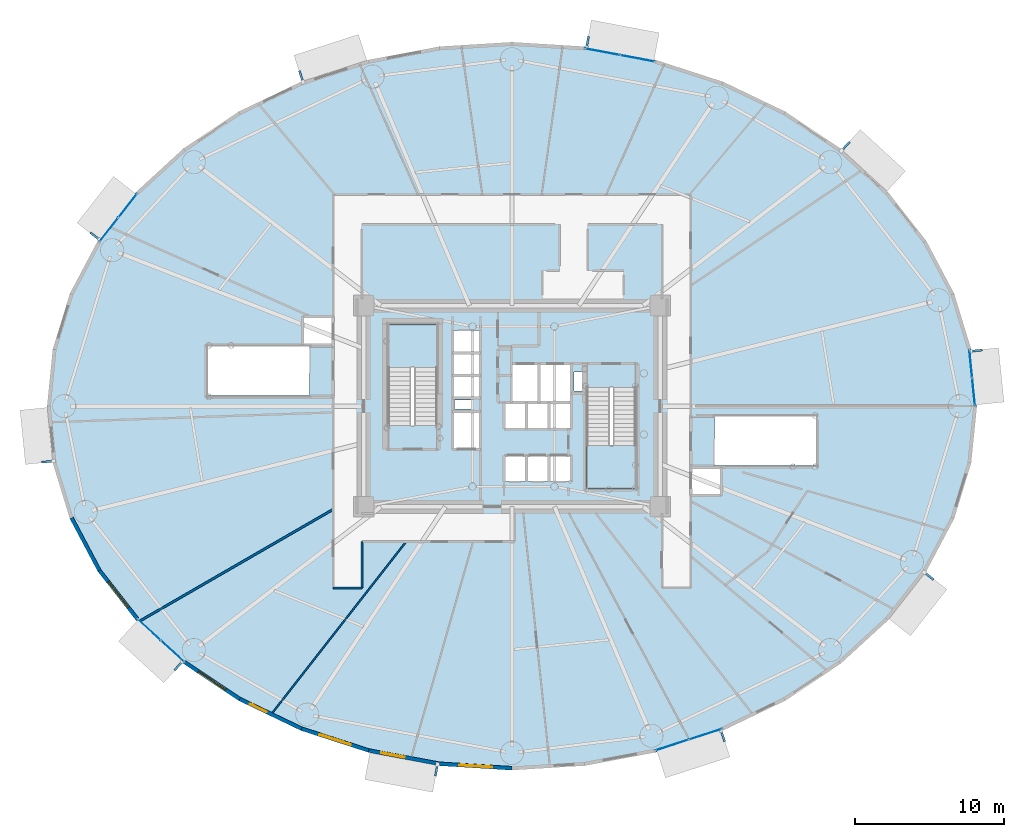
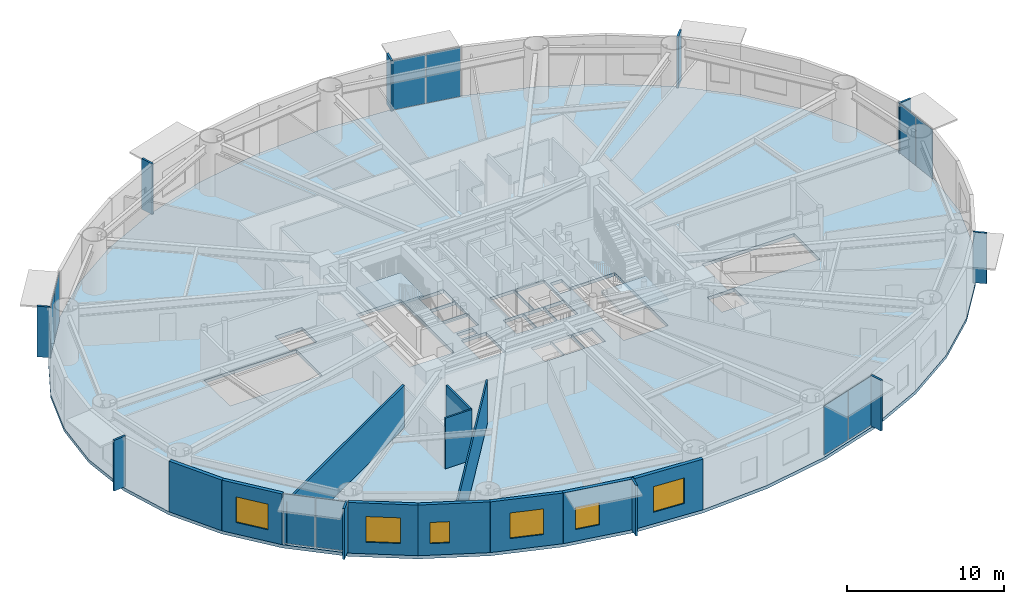
# One storey, part 15 of 28: 20 plates, 11 walls, 6 windows, 3 slabs, 6 openings, 7 elements without a shape of their own.
"""IFC4 building model written with IfcOpenShell, lengths in metres."""

from ifc_helpers import new_model, si_unit, direction, frame, frame_2d, origin, origin_2d, place, context, subcontext, project, spatial, polyline, rectangle, outline, extrude, source, transform, mapped, material, layer, layer_set, type_object, element, fill, aggregate, save


model = new_model("IFC4")

# Units and contexts
model_context = context("Model", 3, precision=1e-05, world=origin(), true_north=direction((0.0, 1.0)))
body_context = subcontext(model_context, "Body", "Model", "MODEL_VIEW")
ifc_project = project(units=[si_unit("LENGTHUNIT", "METRE"), si_unit("AREAUNIT", "SQUARE_METRE"), si_unit("VOLUMEUNIT", "CUBIC_METRE"), si_unit("PLANEANGLEUNIT", "RADIAN"), si_unit("MASSUNIT", "GRAM", prefix="KILO")], contexts=[model_context])

# Site, building, storey
site_placement = place(None, origin())
site = spatial("IfcSite", under=ifc_project, at=site_placement, CompositionType="ELEMENT")
building_placement = place(site_placement, origin())
building = spatial("IfcBuilding", under=site, at=building_placement, Name="Linh Dai School and Residence Tower", CompositionType="ELEMENT")
storey_placement = place(building_placement, frame((0.0, 0.0, 57.60009765625)))
storey = spatial("IfcBuildingStorey", under=building, at=storey_placement, Name="L13", CompositionType="ELEMENT", Elevation=57.60009765625)

# Slab
ifc_material_1 = material(Name="Concrete B45 (C35/45)", Category="concrete")
ifc_layer_1 = layer(ifc_material_1, 0.25)
ifc_layer_set_1 = layer_set([ifc_layer_1], Name="Concrete B45 (C35/45)")
slab_type_1 = type_object("IfcSlabType", Name="SLB-FLR250", PredefinedType="FLOOR", material=ifc_layer_set_1)
slab_1_placement = place(storey_placement, frame((0.0, 0.0, -0.25)))
element("IfcSlab", 1, at=slab_1_placement, inside=storey, type_object=slab_type_1, Name="L13 Composite Structural Floor Slab", PredefinedType="FLOOR", context=body_context, shape_type="SweptSolid", body=[
    extrude(outline(polyline([(67.199951171875, 27.0), (66.81591796875, 30.82177734375), (65.6728515625, 34.54931640625), (63.79931640625, 38.091064453125), (61.2412109375, 41.359619140625), (58.061767578125, 44.274658203125), (54.3388671875, 46.764404296875), (50.16455078125, 48.767333984375), (45.641357421875, 50.234375), (40.880859375, 51.129150390625), (36.0, 51.429931640625), (31.119140625, 51.129150390625), (26.358642578125, 50.234375), (21.83544921875, 48.767333984375), (17.6611328125, 46.764404296875), (13.938232421875, 44.274658203125), (10.7587890625, 41.359619140625), (8.20068359375, 38.091064453125), (6.3271484375, 34.54931640625), (5.18408203125, 30.82177734375), (4.800048828125, 27.0), (5.18408203125, 23.17822265625), (6.3271484375, 19.45068359375), (8.20068359375, 15.908935546875), (10.7587890625, 12.640380859375), (13.938232421875, 9.725341796875), (17.6611328125, 7.235595703125), (21.83544921875, 5.232666015625), (26.358642578125, 3.765625), (31.119140625, 2.870849609375), (36.0, 2.570068359375), (40.880859375, 2.870849609375), (45.641357421875, 3.765625), (50.16455078125, 5.232666015625), (54.3388671875, 7.235595703125), (58.061767578125, 9.725341796875), (61.2412109375, 12.640380859375), (63.79931640625, 15.908935546875), (65.6728515625, 19.45068359375), (66.81591796875, 23.17822265625), (67.199951171875, 27.0)]), holes=[polyline([(30.97998046875, 25.699951171875), (30.97998046875, 32.5), (27.679931640625, 32.5), (27.679931640625, 25.699951171875), (30.97998046875, 25.699951171875)]), polyline([(41.02001953125, 28.25), (41.02001953125, 21.449951171875), (44.320068359375, 21.449951171875), (44.320068359375, 28.25), (41.02001953125, 28.25)]), polyline([(22.39990234375, 31.0), (15.60009765625, 31.0), (15.60009765625, 27.699951171875), (22.39990234375, 27.699951171875), (22.39990234375, 31.0)]), polyline([(49.60009765625, 23.0), (56.39990234375, 23.0), (56.39990234375, 26.300048828125), (49.60009765625, 26.300048828125), (49.60009765625, 23.0)]), polyline([(35.97998046875, 27.280029296875), (37.77001953125, 27.280029296875), (37.77001953125, 29.820068359375), (35.97998046875, 29.820068359375), (35.97998046875, 27.280029296875)]), polyline([(32.030029296875, 24.1298828125), (33.8701171875, 24.1298828125), (33.8701171875, 26.6201171875), (32.030029296875, 26.6201171875), (32.030029296875, 24.1298828125)]), polyline([(37.830078125, 27.280029296875), (39.969970703125, 27.280029296875), (39.969970703125, 29.820068359375), (37.830078125, 29.820068359375), (37.830078125, 27.280029296875)]), polyline([(35.47998046875, 21.929931640625), (36.929931640625, 21.929931640625), (36.929931640625, 23.669921875), (35.47998046875, 23.669921875), (35.47998046875, 21.929931640625)]), polyline([(36.989990234375, 21.929931640625), (38.449951171875, 21.929931640625), (38.449951171875, 23.669921875), (36.989990234375, 23.669921875), (36.989990234375, 21.929931640625)]), polyline([(38.510009765625, 21.929931640625), (39.969970703125, 21.929931640625), (39.969970703125, 23.669921875), (38.510009765625, 23.669921875), (38.510009765625, 21.929931640625)]), polyline([(32.030029296875, 27.580078125), (33.8701171875, 27.580078125), (33.8701171875, 29.030029296875), (32.030029296875, 29.030029296875), (32.030029296875, 27.580078125)]), polyline([(32.030029296875, 29.090087890625), (33.8701171875, 29.090087890625), (33.8701171875, 30.550048828125), (32.030029296875, 30.550048828125), (32.030029296875, 29.090087890625)]), polyline([(32.030029296875, 30.610107421875), (33.8701171875, 30.610107421875), (33.8701171875, 32.070068359375), (32.030029296875, 32.070068359375), (32.030029296875, 30.610107421875)]), polyline([(35.47998046875, 25.47998046875), (36.929931640625, 25.47998046875), (36.929931640625, 27.219970703125), (35.47998046875, 27.219970703125), (35.47998046875, 25.47998046875)]), polyline([(36.989990234375, 25.47998046875), (38.449951171875, 25.47998046875), (38.449951171875, 27.219970703125), (36.989990234375, 27.219970703125), (36.989990234375, 25.47998046875)]), polyline([(38.510009765625, 25.47998046875), (39.969970703125, 25.47998046875), (39.969970703125, 27.219970703125), (38.510009765625, 27.219970703125), (38.510009765625, 25.47998046875)]), polyline([(21.97998046875, 31.080078125), (23.969970703125, 31.080078125), (23.969970703125, 32.969970703125), (21.97998046875, 32.969970703125), (21.97998046875, 31.080078125)]), polyline([(48.030029296875, 21.030029296875), (50.02001953125, 21.030029296875), (50.02001953125, 22.919921875), (48.030029296875, 22.919921875), (48.030029296875, 21.030029296875)]), polyline([(40.14990234375, 28.0), (40.14990234375, 29.300048828125), (41.0, 29.300048828125), (41.0, 28.280029296875), (40.989990234375, 28.280029296875), (40.989990234375, 28.0), (40.14990234375, 28.0)]), polyline([(32.14990234375, 26.800048828125), (33.35009765625, 26.800048828125), (33.35009765625, 27.39990234375), (32.14990234375, 27.39990234375), (32.14990234375, 26.800048828125)])]), origin(), (0.0, 0.0, 1.0), 0.25),
])

# Stair, slab
stair_type = type_object("IfcStairType", Name="ST-DOG-1550-R1500", PredefinedType="HALF_TURN_STAIR", material=ifc_material_1)
stair_1_placement = place(storey_placement, origin())
stair_1 = element("IfcStair", 2, at=stair_1_placement, inside=storey, type_object=stair_type, Name="L13 Core Smokeproof Exit Stair ST1", PredefinedType="HALF_TURN_STAIR")
ifc_layer_2 = layer(ifc_material_1, 0.199951171875)
ifc_layer_set_2 = layer_set([ifc_layer_2], Name="Concrete B45 (C35/45)")
slab_type_2 = type_object("IfcSlabType", Name="SLB-ST-LANDING-200", PredefinedType="LANDING", material=ifc_layer_set_2)
slab_2_placement = place(storey_placement, frame((0.0, 0.0, 1.89990234375)))
slab_2 = element("IfcSlab", 3, at=slab_2_placement, type_object=slab_type_2, Name="ST1 landing 1", PredefinedType="LANDING", context=body_context, shape_type="SweptSolid", body=[
    extrude(outline(polyline([(30.97998046875, 29.60009765625), (30.97998046875, 32.5), (27.679931640625, 32.5), (27.679931640625, 29.60009765625), (30.97998046875, 29.60009765625)])), origin(), (0.0, 0.0, 1.0), 0.199951171875),
])
aggregate(stair_1, [slab_2])

stair_2_placement = place(storey_placement, origin())
stair_2 = element("IfcStair", 4, at=stair_2_placement, inside=storey, type_object=stair_type, Name="L13 Core Smokeproof Exit Stair ST2", PredefinedType="HALF_TURN_STAIR")
slab_3_placement = place(storey_placement, frame((0.0, 0.0, 1.89990234375)))
slab_3 = element("IfcSlab", 5, at=slab_3_placement, type_object=slab_type_2, Name="ST2 landing 1", PredefinedType="LANDING", context=body_context, shape_type="SweptSolid", body=[
    extrude(outline(polyline([(41.02001953125, 24.35009765625), (41.02001953125, 21.449951171875), (44.320068359375, 21.449951171875), (44.320068359375, 24.35009765625), (41.02001953125, 24.35009765625)])), origin(), (0.0, 0.0, 1.0), 0.199951171875),
])
aggregate(stair_2, [slab_3])

# Curtain wall, plates
ifc_material_2 = material(Name="Aluminium Anodised Curtain Wall", Category="aluminium")
ifc_layer_3 = layer(ifc_material_2, 0.159912109375)
ifc_layer_set_3 = layer_set([ifc_layer_3], Name="Aluminium Anodised Curtain Wall")
curtain_wall_type = type_object("IfcCurtainWallType", Name="CW-SYS-3", PredefinedType="USERDEFINED", material=ifc_layer_set_3)
curtain_wall_1_placement = place(storey_placement, origin())
curtain_wall_1 = element("IfcCurtainWall", 6, at=curtain_wall_1_placement, inside=storey, type_object=curtain_wall_type, Name="L13 CW3 Curtain Wall 01", ObjectType="RIBBON CURTAIN WALL", PredefinedType="USERDEFINED")
ifc_material_3 = material(Name="Double Low-E Insulated Glazing", Category="glass")
ifc_layer_4 = layer(ifc_material_3, 0.028076171875)
ifc_layer_set_4 = layer_set([ifc_layer_4], Name="Double Low-E Insulated Glazing")
plate_type_1 = type_object("IfcPlateType", Name="CW-SYS-3-PAN", PredefinedType="CURTAIN_PANEL", material=ifc_layer_set_4)
shared_shape_1 = source(origin(), body_context, "Body", "SweptSolid", [
    extrude(rectangle(XDim=1.825439453125, YDim=0.028076171875, at=origin_2d()), origin(), (0.0, 0.0, 1.0), 3.840087890625),
])
plate_1_placement = place(storey_placement, frame((66.7900390625, 29.833984375, 0.0546875), z_axis=(0.0, 0.0, 1.0), x_axis=(0.100009387998, -0.994986493533, 0.0)))
plate_1 = element("IfcPlate", 7, at=plate_1_placement, type_object=plate_type_1, Name="CW3 panel 1.1", PredefinedType="CURTAIN_PANEL", context=body_context, shape_type="MappedRepresentation", body=[
    mapped(shared_shape_1, transform((0.0, 0.0, 0.0), x_axis=(1.0, 0.0, 0.0), y_axis=(0.0, 1.0, 0.0), z_axis=(0.0, 0.0, 1.0), scale=1.0)),
])
plate_2_placement = place(storey_placement, frame((66.978271484375, 27.962890625, 0.0546875), z_axis=(0.0, 0.0, 1.0), x_axis=(0.100009387998, -0.994986493533, 0.0)))
plate_2 = element("IfcPlate", 8, at=plate_2_placement, type_object=plate_type_1, Name="CW3 panel 2.1", PredefinedType="CURTAIN_PANEL", context=body_context, shape_type="MappedRepresentation", body=[
    mapped(shared_shape_1, transform((0.0, 0.0, 0.0), x_axis=(1.0, 0.0, 0.0), y_axis=(0.0, 1.0, 0.0), z_axis=(0.0, 0.0, 1.0), scale=1.0)),
])
aggregate(curtain_wall_1, [plate_1, plate_2])

# Plates
ifc_material_4 = material(Name="Precast Concrete B45 (C35/45)", Category="concrete")
ifc_layer_5 = layer(ifc_material_4, 0.139892578125)
ifc_layer_set_5 = layer_set([ifc_layer_5], Name="Precast Concrete B45 (C35/45)")
plate_type_2 = type_object("IfcPlateType", Name="FIN-TC-900x140", PredefinedType="USERDEFINED", material=ifc_layer_set_5)
shared_shape_2 = source(origin(), body_context, "Body", "SweptSolid", [
    extrude(rectangle(XDim=0.89990234375, YDim=0.139892578125, at=origin_2d()), origin(), (0.0, 0.0, 1.0), 3.949951171875),
])
for number, where, z_axis, x_axis, name in (
    (9, (67.11328125, 30.718505859375, 0.0), (0.0, 0.0, 1.0), (0.994986493533, 0.100009387998, 0.0), "L13 Precast Terracotta Radial Fin 01"),
    (10, (58.35009765625, 44.397216796875, 0.0), (0.0, 0.0, 1.0), (0.675769237268, 0.737113246362, 0.0), "L13 Precast Terracotta Radial Fin 05"),
    (11, (41.05908203125, 51.385986328125, 0.0), (0.0, 0.0, 1.0), (0.184747948944, 0.982785935675, 0.0), "L13 Precast Terracotta Radial Fin 09"),
    (12, (21.869384765625, 49.078125, 0.0), (0.0, 0.0, 1.0), (-0.308510993844, 0.951220777043, 0.0), "L13 Precast Terracotta Radial Fin 13"),
    (13, (8.056396484375, 38.3701171875, 0.0), (0.0, 0.0, 1.0), (-0.787496262172, 0.616319427785, 0.0), "L13 Precast Terracotta Radial Fin 17"),
    (14, (4.88671875, 23.281494140625, 0.0), (0.0, 0.0, 1.0), (-0.994986493533, -0.100009387998, 0.0), "L13 Precast Terracotta Radial Fin 21"),
    (15, (13.64990234375, 9.602783203125, 0.0), (0.0, 0.0, 1.0), (-0.675769237268, -0.737113246362, 0.0), "L13 Precast Terracotta Radial Fin 25"),
    (16, (30.94091796875, 2.614013671875, 0.0), (0.0, 0.0, 1.0), (-0.184747948944, -0.982785935675, 0.0), "L13 Precast Terracotta Radial Fin 29"),
    (17, (50.130615234375, 4.921875, 0.0), (0.0, 0.0, 1.0), (0.308510993844, -0.951220777043, 0.0), "L13 Precast Terracotta Radial Fin 33"),
    (18, (63.943603515625, 15.6298828125, 0.0), (0.0, 0.0, 1.0), (0.787496262172, -0.616319427785, 0.0), "L13 Precast Terracotta Radial Fin 37"),
):
    element("IfcPlate", number, at=place(storey_placement, frame(where, z_axis=z_axis, x_axis=x_axis)), inside=storey, type_object=plate_type_2, Name=name, ObjectType="RADIAL FIN", PredefinedType="USERDEFINED", context=body_context, shape_type="MappedRepresentation", body=[
        mapped(shared_shape_2, transform((0.0, 0.0, 0.0), x_axis=(1.0, 0.0, 0.0), y_axis=(0.0, 1.0, 0.0), z_axis=(0.0, 0.0, 1.0), scale=1.0)),
    ])

# Curtain wall, plates
curtain_wall_2_placement = place(storey_placement, origin())
curtain_wall_2 = element("IfcCurtainWall", 19, at=curtain_wall_2_placement, inside=storey, type_object=curtain_wall_type, Name="L13 CW3 Curtain Wall 09", ObjectType="RIBBON CURTAIN WALL", PredefinedType="USERDEFINED")
shared_shape_3 = source(origin(), body_context, "Body", "SweptSolid", [
    extrude(rectangle(XDim=2.33154296875, YDim=0.028076171875, at=origin_2d()), origin(), (0.0, 0.0, 1.0), 3.840087890625),
])
plate_3_placement = place(storey_placement, frame((42.065185546875, 50.779541015625, 0.0546875), z_axis=(0.0, 0.0, 1.0), x_axis=(0.982785935675, -0.184747948944, 0.0)))
plate_3 = element("IfcPlate", 20, at=plate_3_placement, type_object=plate_type_1, Name="CW3 panel 1.1", PredefinedType="CURTAIN_PANEL", context=body_context, shape_type="MappedRepresentation", body=[
    mapped(shared_shape_3, transform((0.0, 0.0, 0.0), x_axis=(1.0, 0.0, 0.0), y_axis=(0.0, 1.0, 0.0), z_axis=(0.0, 0.0, 1.0), scale=1.0)),
])
plate_4_placement = place(storey_placement, frame((44.41064453125, 50.338623046875, 0.0546875), z_axis=(0.0, 0.0, 1.0), x_axis=(0.982785935675, -0.184747948944, 0.0)))
plate_4 = element("IfcPlate", 21, at=plate_4_placement, type_object=plate_type_1, Name="CW3 panel 2.1", PredefinedType="CURTAIN_PANEL", context=body_context, shape_type="MappedRepresentation", body=[
    mapped(shared_shape_3, transform((0.0, 0.0, 0.0), x_axis=(1.0, 0.0, 0.0), y_axis=(0.0, 1.0, 0.0), z_axis=(0.0, 0.0, 1.0), scale=1.0)),
])
aggregate(curtain_wall_2, [plate_3, plate_4])

curtain_wall_3_placement = place(storey_placement, origin())
curtain_wall_3 = element("IfcCurtainWall", 22, at=curtain_wall_3_placement, inside=storey, type_object=curtain_wall_type, Name="L13 CW3 Curtain Wall 17", ObjectType="RIBBON CURTAIN WALL", PredefinedType="USERDEFINED")
shared_shape_4 = source(origin(), body_context, "Body", "SweptSolid", [
    extrude(rectangle(XDim=1.982177734375, YDim=0.028076171875, at=origin_2d()), origin(), (0.0, 0.0, 1.0), 3.840087890625),
])
plate_5_placement = place(storey_placement, frame((8.9501953125, 38.8466796875, 0.0546875), z_axis=(0.0, 0.0, 1.0), x_axis=(0.616319427785, 0.787496262172, 0.0)))
plate_5 = element("IfcPlate", 23, at=plate_5_placement, type_object=plate_type_1, Name="CW3 panel 1.1", PredefinedType="CURTAIN_PANEL", context=body_context, shape_type="MappedRepresentation", body=[
    mapped(shared_shape_4, transform((0.0, 0.0, 0.0), x_axis=(1.0, 0.0, 0.0), y_axis=(0.0, 1.0, 0.0), z_axis=(0.0, 0.0, 1.0), scale=1.0)),
])
plate_6_placement = place(storey_placement, frame((10.20556640625, 40.45068359375, 0.0546875), z_axis=(0.0, 0.0, 1.0), x_axis=(0.616319427785, 0.787496262172, 0.0)))
plate_6 = element("IfcPlate", 24, at=plate_6_placement, type_object=plate_type_1, Name="CW3 panel 2.1", PredefinedType="CURTAIN_PANEL", context=body_context, shape_type="MappedRepresentation", body=[
    mapped(shared_shape_4, transform((0.0, 0.0, 0.0), x_axis=(1.0, 0.0, 0.0), y_axis=(0.0, 1.0, 0.0), z_axis=(0.0, 0.0, 1.0), scale=1.0)),
])
aggregate(curtain_wall_3, [plate_5, plate_6])

curtain_wall_4_placement = place(storey_placement, origin())
curtain_wall_4 = element("IfcCurtainWall", 25, at=curtain_wall_4_placement, inside=storey, type_object=curtain_wall_type, Name="L13 CW3 Curtain Wall 25", ObjectType="RIBBON CURTAIN WALL", PredefinedType="USERDEFINED")
shared_shape_5 = source(origin(), body_context, "Body", "SweptSolid", [
    extrude(rectangle(XDim=2.064453125, YDim=0.028076171875, at=origin_2d()), origin(), (0.0, 0.0, 1.0), 3.840087890625),
])
plate_7_placement = place(storey_placement, frame((13.2138671875, 10.55859375, 0.0546875), z_axis=(0.0, 0.0, 1.0), x_axis=(-0.737113246362, 0.675769237268, 0.0)))
plate_7 = element("IfcPlate", 26, at=plate_7_placement, type_object=plate_type_1, Name="CW3 panel 1.1", PredefinedType="CURTAIN_PANEL", context=body_context, shape_type="MappedRepresentation", body=[
    mapped(shared_shape_5, transform((0.0, 0.0, 0.0), x_axis=(1.0, 0.0, 0.0), y_axis=(0.0, 1.0, 0.0), z_axis=(0.0, 0.0, 1.0), scale=1.0)),
])
plate_8_placement = place(storey_placement, frame((11.651611328125, 11.99072265625, 0.0546875), z_axis=(0.0, 0.0, 1.0), x_axis=(-0.737113246362, 0.675769237268, 0.0)))
plate_8 = element("IfcPlate", 27, at=plate_8_placement, type_object=plate_type_1, Name="CW3 panel 2.1", PredefinedType="CURTAIN_PANEL", context=body_context, shape_type="MappedRepresentation", body=[
    mapped(shared_shape_5, transform((0.0, 0.0, 0.0), x_axis=(1.0, 0.0, 0.0), y_axis=(0.0, 1.0, 0.0), z_axis=(0.0, 0.0, 1.0), scale=1.0)),
])
aggregate(curtain_wall_4, [plate_7, plate_8])

curtain_wall_5_placement = place(storey_placement, origin())
curtain_wall_5 = element("IfcCurtainWall", 28, at=curtain_wall_5_placement, inside=storey, type_object=curtain_wall_type, Name="L13 CW3 Curtain Wall 33", ObjectType="RIBBON CURTAIN WALL", PredefinedType="USERDEFINED")
shared_shape_6 = source(origin(), body_context, "Body", "SweptSolid", [
    extrude(rectangle(XDim=2.286865234375, YDim=0.028076171875, at=origin_2d()), origin(), (0.0, 0.0, 1.0), 3.840087890625),
])
plate_9_placement = place(storey_placement, frame((48.978271484375, 4.97900390625, 0.0546875), z_axis=(0.0, 0.0, 1.0), x_axis=(-0.951220777043, -0.308510993844, 0.0)))
plate_9 = element("IfcPlate", 29, at=plate_9_placement, type_object=plate_type_1, Name="CW3 panel 1.1", PredefinedType="CURTAIN_PANEL", context=body_context, shape_type="MappedRepresentation", body=[
    mapped(shared_shape_6, transform((0.0, 0.0, 0.0), x_axis=(1.0, 0.0, 0.0), y_axis=(0.0, 1.0, 0.0), z_axis=(0.0, 0.0, 1.0), scale=1.0)),
])
plate_10_placement = place(storey_placement, frame((46.75048828125, 4.256591796875, 0.0546875), z_axis=(0.0, 0.0, 1.0), x_axis=(-0.951220777043, -0.308510993844, 0.0)))
plate_10 = element("IfcPlate", 30, at=plate_10_placement, type_object=plate_type_1, Name="CW3 panel 2.1", PredefinedType="CURTAIN_PANEL", context=body_context, shape_type="MappedRepresentation", body=[
    mapped(shared_shape_6, transform((0.0, 0.0, 0.0), x_axis=(1.0, 0.0, 0.0), y_axis=(0.0, 1.0, 0.0), z_axis=(0.0, 0.0, 1.0), scale=1.0)),
])
aggregate(curtain_wall_5, [plate_9, plate_10])

# Wall
ifc_layer_6 = layer(ifc_material_4, 0.25)
ifc_layer_set_6 = layer_set([ifc_layer_6], Name="Precast Concrete B45 (C35/45)")
wall_type_1 = type_object("IfcWallType", Name="EW-TC-250", PredefinedType="SOLIDWALL", material=ifc_layer_set_6)
wall_1_placement = place(storey_placement, frame((8.305419921875, 15.977294921875, 0.0), z_axis=(0.0, 0.0, 1.0), x_axis=(-0.467662443071, 0.883907144072, 0.0)))
element("IfcWall", 31, at=wall_1_placement, inside=storey, type_object=wall_type_1, Name="L13 Terracotta Exterior Wall 23", PredefinedType="SOLIDWALL", context=body_context, shape_type="SweptSolid", body=[
    extrude(rectangle(XDim=3.983642578125, YDim=0.25, at=frame_2d((1.99169921875, 0.0))), origin(), (0.0, 0.0, 1.0), 3.949951171875),
])

# Wall, opening, window
wall_2_placement = place(storey_placement, frame((10.850341796875, 12.725341796875, 0.0), z_axis=(0.0, 0.0, 1.0), x_axis=(-0.616295508253, 0.787514981767, 0.0)))
wall_2 = element("IfcWall", 32, at=wall_2_placement, inside=storey, type_object=wall_type_1, Name="L13 Terracotta Exterior Wall 24", PredefinedType="SOLIDWALL", context=body_context, shape_type="SweptSolid", body=[
    extrude(rectangle(XDim=4.12939453125, YDim=0.25, at=frame_2d((2.064697265625, 0.0))), origin(), (0.0, 0.0, 1.0), 3.949951171875),
])
opening_1_placement = place(wall_2_placement, frame((0.964599609375, 0.0, 0.89990234375)))
opening_1 = element("IfcOpeningElement", 33, at=opening_1_placement, cuts=wall_2, Name="Opening W4", PredefinedType="OPENING", context=body_context, shape_type="SweptSolid", body=[
    extrude(rectangle(XDim=2.199951171875, YDim=2.0, at=origin_2d()), frame((1.10009765625, 0.135009765625, 1.0), z_axis=(0.0, -1.0, 0.0), x_axis=(1.0, 0.0, 0.0)), (0.0, 0.0, 1.0), 0.27001953125),
])
ifc_material_5 = material(Name="Acoustic Laminated Low-E Glazing", Category="glass")
window_type_1 = type_object("IfcWindowType", Name="WN-SCH-2200x2000", PartitioningType="TRIPLE_PANEL_VERTICAL", PredefinedType="WINDOW", material=ifc_material_5)
shared_shape_7 = source(origin(), body_context, "Body", "SweptSolid", [
    extrude(rectangle(XDim=2.199951171875, YDim=2.0, at=origin_2d()), frame((1.10009765625, 0.030029296875, 1.0), z_axis=(0.0, -1.0, 0.0), x_axis=(1.0, 0.0, 0.0)), (0.0, 0.0, 1.0), 0.06005859375),
])
window_1_placement = place(opening_1_placement, origin())
window_1 = element("IfcWindow", 34, at=window_1_placement, inside=storey, type_object=window_type_1, Name="L13 Exterior Window 24.1", OverallHeight=2.0, OverallWidth=2.199951171875, PartitioningType="TRIPLE_PANEL_VERTICAL", PredefinedType="WINDOW", context=body_context, shape_type="MappedRepresentation", body=[
    mapped(shared_shape_7, transform((0.0, 0.0, 0.0), x_axis=(1.0, 0.0, 0.0), y_axis=(0.0, 1.0, 0.0), z_axis=(0.0, 0.0, 1.0), scale=1.0)),
])
fill(opening_1, window_1)

wall_3_placement = place(storey_placement, frame((17.722900390625, 7.34423828125, 0.0), z_axis=(0.0, 0.0, 1.0), x_axis=(-0.831240982525, 0.555912249343, 0.0)))
wall_3 = element("IfcWall", 35, at=wall_3_placement, inside=storey, type_object=wall_type_1, Name="L13 Terracotta Exterior Wall 26", PredefinedType="SOLIDWALL", context=body_context, shape_type="SweptSolid", body=[
    extrude(rectangle(XDim=4.460205078125, YDim=0.25, at=frame_2d((2.22998046875, 0.0))), origin(), (0.0, 0.0, 1.0), 3.949951171875),
])
opening_2_placement = place(wall_3_placement, frame((1.1298828125, 0.0, 0.89990234375)))
opening_2 = element("IfcOpeningElement", 36, at=opening_2_placement, cuts=wall_3, Name="Opening W4", PredefinedType="OPENING", context=body_context, shape_type="SweptSolid", body=[
    extrude(rectangle(XDim=2.199951171875, YDim=2.0, at=origin_2d()), frame((1.10009765625, 0.135009765625, 1.0), z_axis=(0.0, -1.0, 0.0), x_axis=(1.0, 0.0, 0.0)), (0.0, 0.0, 1.0), 0.27001953125),
])
window_2_placement = place(opening_2_placement, origin())
window_2 = element("IfcWindow", 37, at=window_2_placement, inside=storey, type_object=window_type_1, Name="L13 Exterior Window 26.1", OverallHeight=2.0, OverallWidth=2.199951171875, PartitioningType="TRIPLE_PANEL_VERTICAL", PredefinedType="WINDOW", context=body_context, shape_type="MappedRepresentation", body=[
    mapped(shared_shape_7, transform((0.0, 0.0, 0.0), x_axis=(1.0, 0.0, 0.0), y_axis=(0.0, 1.0, 0.0), z_axis=(0.0, 0.0, 1.0), scale=1.0)),
])
fill(opening_2, window_2)

wall_4_placement = place(storey_placement, frame((21.8818359375, 5.348876953125, 0.0), z_axis=(0.0, 0.0, 1.0), x_axis=(-0.901601503137, 0.432567601123, 0.0)))
wall_4 = element("IfcWall", 38, at=wall_4_placement, inside=storey, type_object=wall_type_1, Name="L13 Terracotta Exterior Wall 27", PredefinedType="SOLIDWALL", context=body_context, shape_type="SweptSolid", body=[
    extrude(rectangle(XDim=4.61279296875, YDim=0.25, at=frame_2d((2.306396484375, 0.0))), origin(), (0.0, 0.0, 1.0), 3.949951171875),
])
opening_3_placement = place(wall_4_placement, frame((2.601806640625, 0.0, 0.89990234375)))
opening_3 = element("IfcOpeningElement", 39, at=opening_3_placement, cuts=wall_4, Name="Opening W3", PredefinedType="OPENING", context=body_context, shape_type="SweptSolid", body=[
    extrude(rectangle(XDim=1.25, YDim=1.64990234375, at=origin_2d()), frame((0.625, 0.135009765625, 0.824951171875), z_axis=(0.0, -1.0, 0.0), x_axis=(1.0, 0.0, 0.0)), (0.0, 0.0, 1.0), 0.27001953125),
])
window_type_2 = type_object("IfcWindowType", Name="WN-RES-1250x1650", PartitioningType="SINGLE_PANEL", PredefinedType="WINDOW", material=ifc_material_3)
shared_shape_8 = source(origin(), body_context, "Body", "SweptSolid", [
    extrude(rectangle(XDim=1.25, YDim=1.64990234375, at=origin_2d()), frame((0.625, 0.030029296875, 0.824951171875), z_axis=(0.0, -1.0, 0.0), x_axis=(1.0, 0.0, 0.0)), (0.0, 0.0, 1.0), 0.06005859375),
])
window_3_placement = place(opening_3_placement, origin())
window_3 = element("IfcWindow", 40, at=window_3_placement, inside=storey, type_object=window_type_2, Name="L13 Exterior Window 27.1", OverallHeight=1.64990234375, OverallWidth=1.25, PartitioningType="SINGLE_PANEL", PredefinedType="WINDOW", context=body_context, shape_type="MappedRepresentation", body=[
    mapped(shared_shape_8, transform((0.0, 0.0, 0.0), x_axis=(1.0, 0.0, 0.0), y_axis=(0.0, 1.0, 0.0), z_axis=(0.0, 0.0, 1.0), scale=1.0)),
])
fill(opening_3, window_3)

wall_5_placement = place(storey_placement, frame((26.389404296875, 3.88671875, 0.0), z_axis=(0.0, 0.0, 1.0), x_axis=(-0.951207699013, 0.308551313946, 0.0)))
wall_5 = element("IfcWall", 41, at=wall_5_placement, inside=storey, type_object=wall_type_1, Name="L13 Terracotta Exterior Wall 28", PredefinedType="SOLIDWALL", context=body_context, shape_type="SweptSolid", body=[
    extrude(rectangle(XDim=4.73876953125, YDim=0.25, at=frame_2d((2.369384765625, 0.0))), origin(), (0.0, 0.0, 1.0), 3.949951171875),
])
opening_4_placement = place(wall_5_placement, frame((1.269287109375, 0.0, 0.89990234375)))
opening_4 = element("IfcOpeningElement", 42, at=opening_4_placement, cuts=wall_5, Name="Opening W4", PredefinedType="OPENING", context=body_context, shape_type="SweptSolid", body=[
    extrude(rectangle(XDim=2.199951171875, YDim=2.0, at=origin_2d()), frame((1.10009765625, 0.135009765625, 1.0), z_axis=(0.0, -1.0, 0.0), x_axis=(1.0, 0.0, 0.0)), (0.0, 0.0, 1.0), 0.27001953125),
])
window_4_placement = place(opening_4_placement, origin())
window_4 = element("IfcWindow", 43, at=window_4_placement, inside=storey, type_object=window_type_1, Name="L13 Exterior Window 28.1", OverallHeight=2.0, OverallWidth=2.199951171875, PartitioningType="TRIPLE_PANEL_VERTICAL", PredefinedType="WINDOW", context=body_context, shape_type="MappedRepresentation", body=[
    mapped(shared_shape_7, transform((0.0, 0.0, 0.0), x_axis=(1.0, 0.0, 0.0), y_axis=(0.0, 1.0, 0.0), z_axis=(0.0, 0.0, 1.0), scale=1.0)),
])
fill(opening_4, window_4)

wall_6_placement = place(storey_placement, frame((31.134521484375, 2.994873046875, 0.0), z_axis=(0.0, 0.0, 1.0), x_axis=(-0.982791952378, 0.184715939598, 0.0)))
wall_6 = element("IfcWall", 44, at=wall_6_placement, inside=storey, type_object=wall_type_1, Name="L13 Terracotta Exterior Wall 29", PredefinedType="SOLIDWALL", context=body_context, shape_type="SweptSolid", body=[
    extrude(rectangle(XDim=4.828125, YDim=0.25, at=frame_2d((2.4140625, 0.0))), origin(), (0.0, 0.0, 1.0), 3.949951171875),
])
opening_5_placement = place(wall_6_placement, frame((2.388427734375, 0.0, 0.89990234375)))
opening_5 = element("IfcOpeningElement", 45, at=opening_5_placement, cuts=wall_6, Name="Opening W2", PredefinedType="OPENING", context=body_context, shape_type="SweptSolid", body=[
    extrude(rectangle(XDim=1.60009765625, YDim=1.75, at=origin_2d()), frame((0.800048828125, 0.135009765625, 0.875), z_axis=(0.0, -1.0, 0.0), x_axis=(1.0, 0.0, 0.0)), (0.0, 0.0, 1.0), 0.27001953125),
])
window_type_3 = type_object("IfcWindowType", Name="WN-RES-1600x1750", PartitioningType="DOUBLE_PANEL_VERTICAL", PredefinedType="WINDOW", material=ifc_material_3)
shared_shape_9 = source(origin(), body_context, "Body", "SweptSolid", [
    extrude(rectangle(XDim=1.60009765625, YDim=1.75, at=origin_2d()), frame((0.800048828125, 0.030029296875, 0.875), z_axis=(0.0, -1.0, 0.0), x_axis=(1.0, 0.0, 0.0)), (0.0, 0.0, 1.0), 0.06005859375),
])
window_5_placement = place(opening_5_placement, origin())
window_5 = element("IfcWindow", 46, at=window_5_placement, inside=storey, type_object=window_type_3, Name="L13 Exterior Window 29.1", OverallHeight=1.75, OverallWidth=1.60009765625, PartitioningType="DOUBLE_PANEL_VERTICAL", PredefinedType="WINDOW", context=body_context, shape_type="MappedRepresentation", body=[
    mapped(shared_shape_9, transform((0.0, 0.0, 0.0), x_axis=(1.0, 0.0, 0.0), y_axis=(0.0, 1.0, 0.0), z_axis=(0.0, 0.0, 1.0), scale=1.0)),
])
fill(opening_5, window_5)

wall_7_placement = place(storey_placement, frame((36.0, 2.695068359375, 0.0), z_axis=(0.0, 0.0, 1.0), x_axis=(-0.998106954071, 0.061502099433, 0.0)))
wall_7 = element("IfcWall", 47, at=wall_7_placement, inside=storey, type_object=wall_type_1, Name="L13 Terracotta Exterior Wall 30", PredefinedType="SOLIDWALL", context=body_context, shape_type="SweptSolid", body=[
    extrude(rectangle(XDim=4.874755859375, YDim=0.25, at=frame_2d((2.4375, 0.0))), origin(), (0.0, 0.0, 1.0), 3.949951171875),
])
opening_6_placement = place(wall_7_placement, frame((1.33740234375, 0.0, 0.89990234375)))
opening_6 = element("IfcOpeningElement", 48, at=opening_6_placement, cuts=wall_7, Name="Opening W4", PredefinedType="OPENING", context=body_context, shape_type="SweptSolid", body=[
    extrude(rectangle(XDim=2.199951171875, YDim=2.0, at=origin_2d()), frame((1.10009765625, 0.135009765625, 1.0), z_axis=(0.0, -1.0, 0.0), x_axis=(1.0, 0.0, 0.0)), (0.0, 0.0, 1.0), 0.27001953125),
])
window_6_placement = place(opening_6_placement, origin())
window_6 = element("IfcWindow", 49, at=window_6_placement, inside=storey, type_object=window_type_1, Name="L13 Exterior Window 30.1", OverallHeight=2.0, OverallWidth=2.199951171875, PartitioningType="TRIPLE_PANEL_VERTICAL", PredefinedType="WINDOW", context=body_context, shape_type="MappedRepresentation", body=[
    mapped(shared_shape_7, transform((0.0, 0.0, 0.0), x_axis=(1.0, 0.0, 0.0), y_axis=(0.0, 1.0, 0.0), z_axis=(0.0, 0.0, 1.0), scale=1.0)),
])
fill(opening_6, window_6)

# Walls
ifc_material_6 = material(Name="Autoclaved Aerated Concrete Blockwork", Category="masonry")
ifc_layer_7 = layer(ifc_material_6, 0.135009765625)
ifc_layer_set_7 = layer_set([ifc_layer_7], Name="Autoclaved Aerated Concrete Blockwork")
wall_type_2 = type_object("IfcWallType", Name="IW-CORR-135-EI90", PredefinedType="PARTITIONING", material=ifc_layer_set_7)
wall_8_placement = place(storey_placement, frame((24.0, 14.800048828125, 0.0), z_axis=(0.0, 0.0, 1.0), x_axis=(1.0, 0.0, 0.0)))
element("IfcWall", 50, at=wall_8_placement, inside=storey, type_object=wall_type_2, Name="L13 Interior Partition Wall 012", PredefinedType="PARTITIONING", context=body_context, shape_type="SweptSolid", body=[
    extrude(rectangle(XDim=1.949951171875, YDim=0.135009765625, at=frame_2d((0.97509765625, 0.0))), origin(), (0.0, 0.0, 1.0), 3.949951171875),
])
wall_9_placement = place(storey_placement, frame((25.949951171875, 14.800048828125, 0.0), z_axis=(0.0, 0.0, 1.0), x_axis=(0.0, 1.0, 0.0)))
element("IfcWall", 51, at=wall_9_placement, inside=storey, type_object=wall_type_2, Name="L13 Interior Partition Wall 017", PredefinedType="PARTITIONING", context=body_context, shape_type="SweptSolid", body=[
    extrude(rectangle(XDim=3.099853515625, YDim=0.135009765625, at=frame_2d((1.5498046875, 0.0))), origin(), (0.0, 0.0, 1.0), 3.949951171875),
])
ifc_material_7 = material(Name="Acoustic Operable Timber Panel Partition", Category="wood")
ifc_layer_8 = layer(ifc_material_7, 0.110107421875)
ifc_layer_set_8 = layer_set([ifc_layer_8], Name="Acoustic Operable Timber Panel Partition")
wall_type_3 = type_object("IfcWallType", Name="IW-MOV-110", PredefinedType="MOVABLE", material=ifc_layer_set_8)
wall_10_placement = place(storey_placement, frame((19.843994140625, 6.321044921875, 0.0), z_axis=(0.0, 0.0, 1.0), x_axis=(0.615661130638, 0.788011022906, 0.0)))
element("IfcWall", 52, at=wall_10_placement, inside=storey, type_object=wall_type_3, Name="L13 Interior Partition Wall 008", PredefinedType="MOVABLE", context=body_context, shape_type="SweptSolid", body=[
    extrude(rectangle(XDim=14.69384765625, YDim=0.110107421875, at=frame_2d((7.346923828125, 0.0))), origin(), (0.0, 0.0, 1.0), 3.3349609375),
])
ifc_layer_9 = layer(ifc_material_6, 0.14990234375)
ifc_layer_set_9 = layer_set([ifc_layer_9], Name="Autoclaved Aerated Concrete Blockwork")
wall_type_4 = type_object("IfcWallType", Name="IW-SCH-150-EI60", PredefinedType="PARTITIONING", material=ifc_layer_set_9)
wall_11_placement = place(storey_placement, frame((11.01025390625, 12.572021484375, 0.0), z_axis=(0.0, 0.0, 1.0), x_axis=(0.86602186862, 0.500006123034, 0.0)))
element("IfcWall", 53, at=wall_11_placement, inside=storey, type_object=wall_type_4, Name="L13 Interior Partition Wall 003", PredefinedType="PARTITIONING", context=body_context, shape_type="SweptSolid", body=[
    extrude(rectangle(XDim=14.999267578125, YDim=0.14990234375, at=frame_2d((7.49951171875, 0.0))), origin(), (0.0, 0.0, 1.0), 3.3349609375),
])

save(model, "model.ifc")
